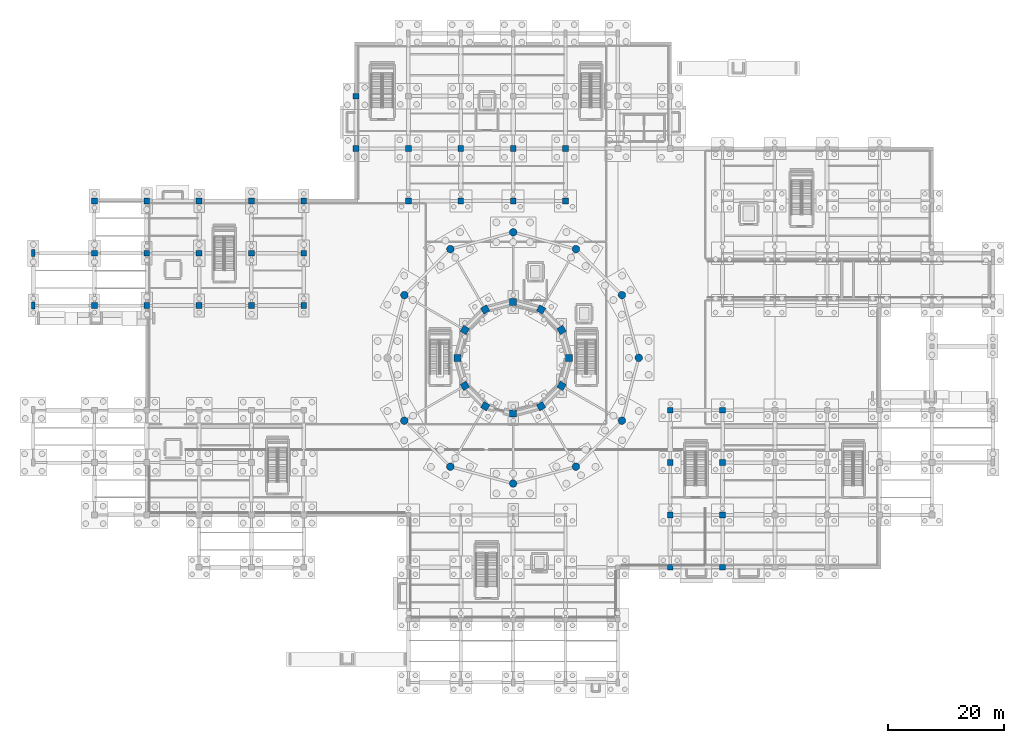
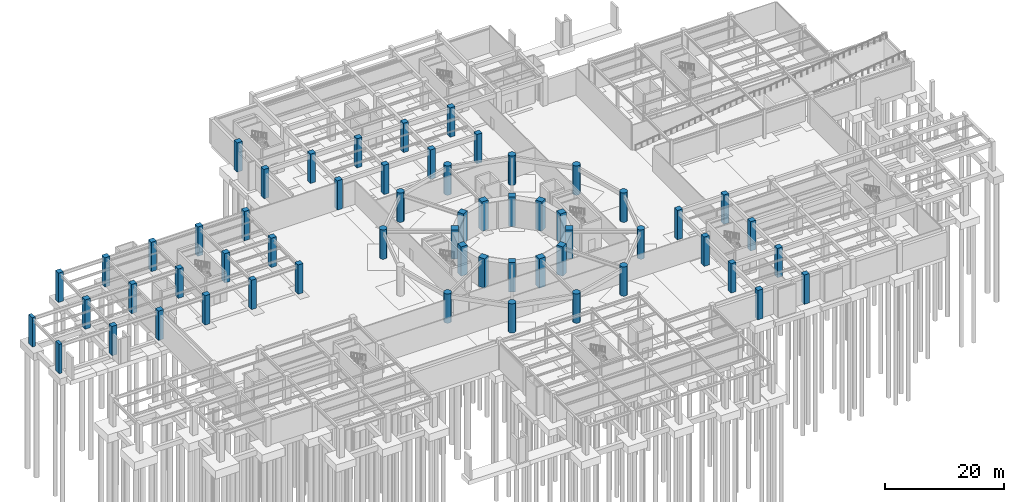
# One storey, part 9 of 36: 58 columns.
"""IFC4 building model written with IfcOpenShell, lengths in metres."""

from ifc_helpers import new_model, si_unit, direction, frame, origin, origin_2d, place, context, subcontext, project, spatial, rectangle, circle, extrude, material, material_profile, profile_set, type_object, element, save


model = new_model("IFC4")

# Units and contexts
model_context = context("Model", 3, precision=1e-05, world=origin(), true_north=direction((0.0, 1.0)))
body_context = subcontext(model_context, "Body", "Model", "MODEL_VIEW")
ifc_project = project(units=[si_unit("LENGTHUNIT", "METRE"), si_unit("AREAUNIT", "SQUARE_METRE"), si_unit("VOLUMEUNIT", "CUBIC_METRE"), si_unit("PLANEANGLEUNIT", "RADIAN"), si_unit("MASSUNIT", "GRAM", prefix="KILO")], contexts=[model_context])

# Site, building, storey
site_placement = place(None, origin())
site = spatial("IfcSite", under=ifc_project, at=site_placement, CompositionType="ELEMENT")
building_placement = place(site_placement, origin())
building = spatial("IfcBuilding", under=site, at=building_placement, Name="Haizhuo Lancet Aquarium", CompositionType="ELEMENT")
storey_placement = place(building_placement, frame((0.0, 0.0, -6.0)))
storey = spatial("IfcBuildingStorey", under=building, at=storey_placement, Name="B1", CompositionType="ELEMENT", Elevation=-6.0)

# Columns
ifc_material_1 = material(Name="Concrete C50/60", Category="concrete")
ifc_material_profile_1 = material_profile(ifc_material_1, circle(Radius=0.64990234375, at=origin_2d()), Name="RC-DC 1300")
ifc_profile_set_1 = profile_set([ifc_material_profile_1], Name="Concrete C50/60")
column_type_1 = type_object("IfcColumnType", Name="COL-DC-1300", PredefinedType="COLUMN", material=ifc_profile_set_1)
for number, where, z_axis, x_axis, name in (
    (1, (21.60009765625, 0.0, 0.0), (0.0, 0.0, 1.0), (1.0, 0.0, 0.0), "B1 column V1-COL-001"),
    (2, (18.7060546875, 10.800048828125, 0.0), (0.0, 0.0, 1.0), (0.866025403784, 0.5, 0.0), "B1 column V1-COL-002"),
    (3, (10.800048828125, 18.7060546875, 0.0), (0.0, 0.0, 1.0), (0.5, 0.866025403784, 0.0), "B1 column V1-COL-003"),
    (4, (0.0, 21.60009765625, 0.0), (0.0, 0.0, 1.0), (0.0, 1.0, 0.0), "B1 column V1-COL-004"),
    (5, (-10.800048828125, 18.7060546875, 0.0), (0.0, 0.0, 1.0), (-0.5, 0.866025403784, 0.0), "B1 column V1-COL-005"),
    (6, (-18.7060546875, 10.800048828125, 0.0), (0.0, 0.0, 1.0), (-0.866025403784, 0.5, 0.0), "B1 column V1-COL-006"),
    (7, (-18.7060546875, -10.800048828125, 0.0), (0.0, 0.0, 1.0), (-0.866025403784, -0.5, 0.0), "B1 column V1-COL-008"),
    (8, (-10.800048828125, -18.7060546875, 0.0), (0.0, 0.0, 1.0), (-0.5, -0.866025403784, 0.0), "B1 column V1-COL-009"),
    (9, (0.0, -21.60009765625, 0.0), (0.0, 0.0, 1.0), (0.0, -1.0, 0.0), "B1 column V1-COL-010"),
    (10, (10.800048828125, -18.7060546875, 0.0), (0.0, 0.0, 1.0), (0.5, -0.866025403784, 0.0), "B1 column V1-COL-011"),
    (11, (18.7060546875, -10.800048828125, 0.0), (0.0, 0.0, 1.0), (0.866025403784, -0.5, 0.0), "B1 column V1-COL-012"),
):
    element("IfcColumn", number, at=place(storey_placement, frame(where, z_axis=z_axis, x_axis=x_axis)), inside=storey, type_object=column_type_1, Name=name, PredefinedType="COLUMN", context=body_context, shape_type="SweptSolid", body=[
        extrude(circle(Radius=0.64990234375, at=origin_2d()), origin(), (0.0, 0.0, 1.0), 6.0),
    ])
ifc_material_profile_2 = material_profile(ifc_material_1, rectangle(XDim=1.0, YDim=1.0, at=origin_2d()), Name="RC-COL 1000x1000")
ifc_profile_set_2 = profile_set([ifc_material_profile_2], Name="Concrete C50/60")
column_type_2 = type_object("IfcColumnType", Name="COL-RC-1000", PredefinedType="COLUMN", material=ifc_profile_set_2)
for number, where, z_axis, x_axis, name in (
    (12, (-72.0, 9.0, 0.0), (0.0, 0.0, 1.0), (1.0, 0.0, 0.0), "B1 column V2-COL-027"),
    (13, (-72.0, 18.0, 0.0), (0.0, 0.0, 1.0), (1.0, 0.0, 0.0), "B1 column V2-COL-028"),
    (14, (-72.0, 27.0, 0.0), (0.0, 0.0, 1.0), (1.0, 0.0, 0.0), "B1 column V2-COL-029"),
    (15, (-63.0, 9.0, 0.0), (0.0, 0.0, 1.0), (1.0, 0.0, 0.0), "B1 column V2-COL-030"),
    (16, (-63.0, 18.0, 0.0), (0.0, 0.0, 1.0), (1.0, 0.0, 0.0), "B1 column V2-COL-031"),
    (17, (-63.0, 27.0, 0.0), (0.0, 0.0, 1.0), (1.0, 0.0, 0.0), "B1 column V2-COL-032"),
    (18, (-54.0, 9.0, 0.0), (0.0, 0.0, 1.0), (1.0, 0.0, 0.0), "B1 column V2-COL-033"),
    (19, (-54.0, 18.0, 0.0), (0.0, 0.0, 1.0), (1.0, 0.0, 0.0), "B1 column V2-COL-034"),
    (20, (-54.0, 27.0, 0.0), (0.0, 0.0, 1.0), (1.0, 0.0, 0.0), "B1 column V2-COL-035"),
    (21, (-45.0, 9.0, 0.0), (0.0, 0.0, 1.0), (1.0, 0.0, 0.0), "B1 column V2-COL-036"),
    (22, (-45.0, 18.0, 0.0), (0.0, 0.0, 1.0), (1.0, 0.0, 0.0), "B1 column V2-COL-037"),
    (23, (-45.0, 27.0, 0.0), (0.0, 0.0, 1.0), (1.0, 0.0, 0.0), "B1 column V2-COL-038"),
    (24, (-36.0, 9.0, 0.0), (0.0, 0.0, 1.0), (1.0, 0.0, 0.0), "B1 column V2-COL-039"),
    (25, (-36.0, 18.0, 0.0), (0.0, 0.0, 1.0), (1.0, 0.0, 0.0), "B1 column V2-COL-040"),
    (26, (-36.0, 27.0, 0.0), (0.0, 0.0, 1.0), (1.0, 0.0, 0.0), "B1 column V2-COL-041"),
    (27, (27.0, -36.0, 0.0), (0.0, 0.0, 1.0), (1.0, 0.0, 0.0), "B1 column V3-COL-042"),
    (28, (27.0, -27.0, 0.0), (0.0, 0.0, 1.0), (1.0, 0.0, 0.0), "B1 column V3-COL-043"),
    (29, (27.0, -18.0, 0.0), (0.0, 0.0, 1.0), (1.0, 0.0, 0.0), "B1 column V3-COL-044"),
    (30, (27.0, -9.0, 0.0), (0.0, 0.0, 1.0), (1.0, 0.0, 0.0), "B1 column V3-COL-045"),
    (31, (36.0, -36.0, 0.0), (0.0, 0.0, 1.0), (1.0, 0.0, 0.0), "B1 column V3-COL-046"),
    (32, (36.0, -27.0, 0.0), (0.0, 0.0, 1.0), (1.0, 0.0, 0.0), "B1 column V3-COL-047"),
    (33, (36.0, -18.0, 0.0), (0.0, 0.0, 1.0), (1.0, 0.0, 0.0), "B1 column V3-COL-048"),
    (34, (36.0, -9.0, 0.0), (0.0, 0.0, 1.0), (1.0, 0.0, 0.0), "B1 column V3-COL-049"),
    (35, (-27.0, 36.0, 0.0), (0.0, 0.0, 1.0), (1.0, 0.0, 0.0), "B1 column V5-COL-085"),
    (36, (-27.0, 45.0, 0.0), (0.0, 0.0, 1.0), (1.0, 0.0, 0.0), "B1 column V5-COL-086"),
    (37, (-18.0, 27.0, 0.0), (0.0, 0.0, 1.0), (1.0, 0.0, 0.0), "B1 column V5-COL-087"),
    (38, (-18.0, 36.0, 0.0), (0.0, 0.0, 1.0), (1.0, 0.0, 0.0), "B1 column V5-COL-088"),
    (39, (-9.0, 27.0, 0.0), (0.0, 0.0, 1.0), (1.0, 0.0, 0.0), "B1 column V5-COL-091"),
    (40, (-9.0, 36.0, 0.0), (0.0, 0.0, 1.0), (1.0, 0.0, 0.0), "B1 column V5-COL-092"),
    (41, (0.0, 27.0, 0.0), (0.0, 0.0, 1.0), (1.0, 0.0, 0.0), "B1 column V5-COL-095"),
    (42, (0.0, 36.0, 0.0), (0.0, 0.0, 1.0), (1.0, 0.0, 0.0), "B1 column V5-COL-096"),
    (43, (9.0, 27.0, 0.0), (0.0, 0.0, 1.0), (1.0, 0.0, 0.0), "B1 column V5-COL-099"),
    (44, (9.0, 36.0, 0.0), (0.0, 0.0, 1.0), (1.0, 0.0, 0.0), "B1 column V5-COL-100"),
):
    element("IfcColumn", number, at=place(storey_placement, frame(where, z_axis=z_axis, x_axis=x_axis)), inside=storey, type_object=column_type_2, Name=name, PredefinedType="COLUMN", context=body_context, shape_type="SweptSolid", body=[
        extrude(rectangle(XDim=1.0, YDim=1.0, at=origin_2d()), origin(), (0.0, 0.0, 1.0), 6.0),
    ])
ifc_material_profile_3 = material_profile(ifc_material_1, rectangle(XDim=1.199951171875, YDim=1.199951171875, at=origin_2d()), Name="RC-COL 1200x1200")
ifc_profile_set_3 = profile_set([ifc_material_profile_3], Name="Concrete C50/60")
column_type_3 = type_object("IfcColumnType", Name="COL-TC-1200", PredefinedType="COLUMN", material=ifc_profile_set_3)
for number, where, z_axis, x_axis, name in (
    (45, (9.60009765625, 0.0, 0.0), (0.0, 0.0, 1.0), (1.0, 0.0, 0.0), "B1 column V1-COL-013"),
    (46, (8.31396484375, 4.800048828125, 0.0), (0.0, 0.0, 1.0), (0.866025403784, 0.5, 0.0), "B1 column V1-COL-014"),
    (47, (4.800048828125, 8.31396484375, 0.0), (0.0, 0.0, 1.0), (0.5, 0.866025403784, 0.0), "B1 column V1-COL-015"),
    (48, (0.0, 9.60009765625, 0.0), (0.0, 0.0, 1.0), (0.0, 1.0, 0.0), "B1 column V1-COL-016"),
    (49, (-4.800048828125, 8.31396484375, 0.0), (0.0, 0.0, 1.0), (-0.5, 0.866025403784, 0.0), "B1 column V1-COL-017"),
    (50, (-8.31396484375, 4.800048828125, 0.0), (0.0, 0.0, 1.0), (-0.866025403784, 0.5, 0.0), "B1 column V1-COL-018"),
    (51, (-9.60009765625, 0.0, 0.0), (0.0, 0.0, 1.0), (-1.0, 0.0, 0.0), "B1 column V1-COL-019"),
    (52, (-8.31396484375, -4.800048828125, 0.0), (0.0, 0.0, 1.0), (-0.866025403784, -0.5, 0.0), "B1 column V1-COL-020"),
    (53, (-4.800048828125, -8.31396484375, 0.0), (0.0, 0.0, 1.0), (-0.5, -0.866025403784, 0.0), "B1 column V1-COL-021"),
    (54, (0.0, -9.60009765625, 0.0), (0.0, 0.0, 1.0), (0.0, -1.0, 0.0), "B1 column V1-COL-022"),
    (55, (4.800048828125, -8.31396484375, 0.0), (0.0, 0.0, 1.0), (0.5, -0.866025403784, 0.0), "B1 column V1-COL-023"),
    (56, (8.31396484375, -4.800048828125, 0.0), (0.0, 0.0, 1.0), (0.866025403784, -0.5, 0.0), "B1 column V1-COL-024"),
):
    element("IfcColumn", number, at=place(storey_placement, frame(where, z_axis=z_axis, x_axis=x_axis)), inside=storey, type_object=column_type_3, Name=name, PredefinedType="COLUMN", context=body_context, shape_type="SweptSolid", body=[
        extrude(rectangle(XDim=1.199951171875, YDim=1.199951171875, at=origin_2d()), origin(), (0.0, 0.0, 1.0), 6.0),
    ])
ifc_material_2 = material(Name="Concrete C45/55", Category="concrete")
ifc_material_profile_4 = material_profile(ifc_material_2, rectangle(XDim=0.60009765625, YDim=1.199951171875, at=origin_2d()), Name="RC-PIL 600x1200")
ifc_profile_set_4 = profile_set([ifc_material_profile_4], Name="Concrete C45/55")
column_type_4 = type_object("IfcColumnType", Name="PIL-RC-600x1200", PredefinedType="PILASTER", material=ifc_profile_set_4)
for number, where, z_axis, x_axis, name in (
    (57, (-82.5, 9.0, 0.0), (0.0, 0.0, 1.0), (1.0, 0.0, 0.0), "B1 column V2-COL-025"),
    (58, (-82.5, 18.0, 0.0), (0.0, 0.0, 1.0), (1.0, 0.0, 0.0), "B1 column V2-COL-026"),
):
    element("IfcColumn", number, at=place(storey_placement, frame(where, z_axis=z_axis, x_axis=x_axis)), inside=storey, type_object=column_type_4, Name=name, PredefinedType="PILASTER", context=body_context, shape_type="SweptSolid", body=[
        extrude(rectangle(XDim=0.60009765625, YDim=1.199951171875, at=origin_2d()), origin(), (0.0, 0.0, 1.0), 6.0),
    ])

save(model, "model.ifc")
